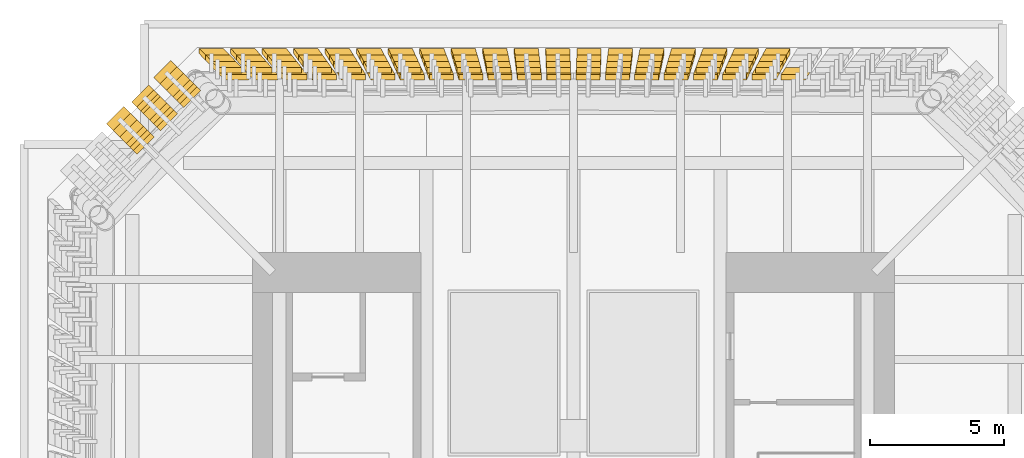
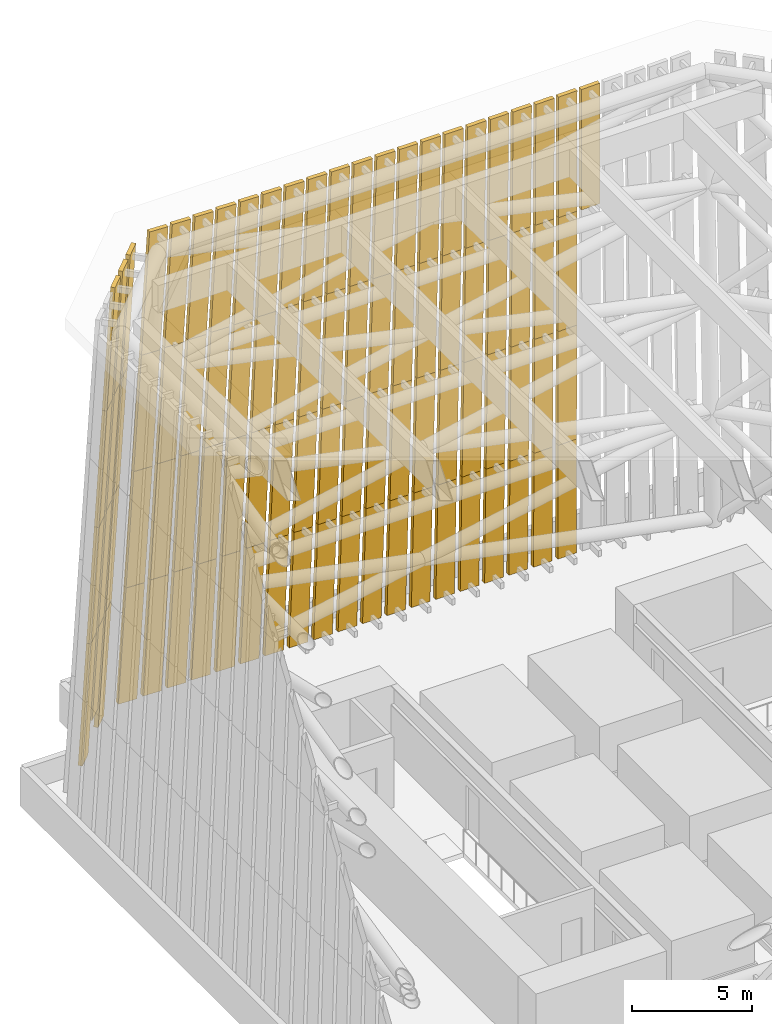
# One storey, part 11 of 13: 89 shading devices.
"""IFC4 building model written with IfcOpenShell, lengths in metres."""

from ifc_helpers import new_model, si_unit, direction, frame, origin, origin_2d, place, context, subcontext, project, spatial, rectangle, extrude, source, transform, mapped, material, material_profile, profile_set, type_object, element, save


model = new_model("IFC4")

# Units and contexts
model_context = context("Model", 3, precision=1e-05, world=origin(), true_north=direction((0.0, 1.0)))
body_context = subcontext(model_context, "Body", "Model", "MODEL_VIEW")
ifc_project = project(units=[si_unit("LENGTHUNIT", "METRE"), si_unit("AREAUNIT", "SQUARE_METRE"), si_unit("VOLUMEUNIT", "CUBIC_METRE"), si_unit("PLANEANGLEUNIT", "RADIAN"), si_unit("MASSUNIT", "GRAM", prefix="KILO")], contexts=[model_context])

# Site, building, storey
site_placement = place(None, origin())
site = spatial("IfcSite", under=ifc_project, at=site_placement, CompositionType="ELEMENT")
building_placement = place(site_placement, origin())
building = spatial("IfcBuilding", under=site, at=building_placement, Name="Peilmerk Tower", CompositionType="ELEMENT")
storey_placement = place(building_placement, frame((0.0, 0.0, 307.800048828125)))
storey = spatial("IfcBuildingStorey", under=building, at=storey_placement, Name="RF", CompositionType="ELEMENT", Elevation=307.800048828125)

# Shading devices
ifc_material = material(Name="GRP composite, board-marked concrete finish", Category="concrete")
ifc_material_profile = material_profile(ifc_material, rectangle(XDim=0.199951171875, YDim=0.89990234375, at=origin_2d()), Name="CF1 200x900")
ifc_profile_set = profile_set([ifc_material_profile], Name="GRP composite, board-marked concrete finish")
shading_device_type = type_object("IfcShadingDeviceType", Name="CF1 200x900 GRP crown fin", PredefinedType="USERDEFINED", material=ifc_profile_set)
shared_shape_1 = source(origin(), body_context, "Body", "SweptSolid", [
    extrude(rectangle(XDim=0.199951171875, YDim=0.89990234375, at=origin_2d()), origin(), (0.0, 0.0, 1.0), 6.009765625),
])
for number, where, z_axis, x_axis, name in (
    (1, (-16.81494140625, 16.81494140625, 6.0), (0.040258485407, -0.040258485407, 0.998377938811), (-0.705959810721, 0.705959810721, 0.056934096063), "Crown fin CF1 NW_W 3 tier 2"),
    (2, (-16.572998046875, 16.572998046875, 12.0), (0.040258485407, -0.040258485407, 0.998377938811), (-0.705959810721, 0.705959810721, 0.056934096063), "Crown fin CF1 NW_W 3 tier 3"),
    (3, (-15.94482421875, 17.684814453125, 6.0), (0.040258485407, -0.040258485407, 0.998377938811), (-0.705959810721, 0.705959810721, 0.056934096063), "Crown fin CF1 NW_W 4 tier 2"),
    (4, (-15.702880859375, 17.44287109375, 12.0), (0.040258485407, -0.040258485407, 0.998377938811), (-0.705959810721, 0.705959810721, 0.056934096063), "Crown fin CF1 NW_W 4 tier 3"),
    (5, (-15.31689453125, 18.796875, 0.0), (0.040258485407, -0.040258485407, 0.998377938811), (-0.705959810721, 0.705959810721, 0.056934096063), "Crown fin CF1 NW_W 5 tier 1"),
    (6, (-15.074951171875, 18.554931640625, 6.0), (0.040258485407, -0.040258485407, 0.998377938811), (-0.705959810721, 0.705959810721, 0.056934096063), "Crown fin CF1 NW_W 5 tier 2"),
    (7, (-14.8330078125, 18.31298828125, 12.0), (0.040258485407, -0.040258485407, 0.998377938811), (-0.705959810721, 0.705959810721, 0.056934096063), "Crown fin CF1 NW_W 5 tier 3"),
):
    element("IfcShadingDevice", number, at=place(storey_placement, frame(where, z_axis=z_axis, x_axis=x_axis)), inside=storey, type_object=shading_device_type, Name=name, ObjectType="CROWN FIN", PredefinedType="USERDEFINED", context=body_context, shape_type="MappedRepresentation", body=[
        mapped(shared_shape_1, transform((0.0, 0.0, 0.0), scale=1.0)),
    ])
shared_shape_2 = source(origin(), body_context, "Body", "SweptSolid", [
    extrude(rectangle(XDim=0.199951171875, YDim=0.89990234375, at=origin_2d()), origin(), (0.0, 0.0, 1.0), 6.36572265625),
])
for number, where, z_axis, x_axis, name in (
    (8, (-16.3310546875, 16.3310546875, 18.0), (0.040269510679, -0.040269510679, 0.998377049526), (-0.705959181901, 0.705959181901, 0.056949688153), "Crown fin CF1 NW_W 3 tier 4"),
    (9, (-15.4609375, 17.200927734375, 18.0), (0.040231282973, -0.040231282973, 0.998380131884), (-0.705961361457, 0.705961361457, 0.056895626012), "Crown fin CF1 NW_W 4 tier 4"),
    (10, (-14.591064453125, 18.071044921875, 18.0), (0.040269510679, -0.040269510679, 0.998377049526), (-0.705959181901, 0.705959181901, 0.056949688153), "Crown fin CF1 NW_W 5 tier 4"),
):
    element("IfcShadingDevice", number, at=place(storey_placement, frame(where, z_axis=z_axis, x_axis=x_axis)), inside=storey, type_object=shading_device_type, Name=name, ObjectType="CROWN FIN", PredefinedType="USERDEFINED", context=body_context, shape_type="MappedRepresentation", body=[
        mapped(shared_shape_2, transform((0.0, 0.0, 0.0), scale=1.0)),
    ])
shared_shape_3 = source(origin(), body_context, "Body", "SweptSolid", [
    extrude(rectangle(XDim=0.199951171875, YDim=0.89990234375, at=origin_2d()), origin(), (0.0, 0.0, 1.0), 4.807861328125),
])
shading_device_1_placement = place(storey_placement, frame((-16.138427734375, 17.87841796875, 1.199951171875), z_axis=(0.040268200199, -0.040268200199, 0.99837715524), x_axis=(-0.705959256652, 0.705959256652, 0.056947834853)))
element("IfcShadingDevice", 11, at=shading_device_1_placement, inside=storey, type_object=shading_device_type, Name="Crown fin CF1 NW_W 4 tier 1", ObjectType="CROWN FIN", PredefinedType="USERDEFINED", context=body_context, shape_type="MappedRepresentation", body=[
    mapped(shared_shape_3, transform((0.0, 0.0, 0.0), scale=1.0)),
])
shared_shape_4 = source(origin(), body_context, "Body", "SweptSolid", [
    extrude(rectangle(XDim=0.199951171875, YDim=0.89990234375, at=origin_2d()), origin(), (0.0, 0.0, 1.0), 6.310302734375),
])
shading_device_2_placement = place(storey_placement, frame((-17.06884765625, 17.06884765625, -0.300048828125), z_axis=(0.040236964191, -0.040236964191, 0.998379673985), x_axis=(-0.705961037673, 0.705961037673, 0.056903660467)))
element("IfcShadingDevice", 12, at=shading_device_2_placement, inside=storey, type_object=shading_device_type, Name="Crown fin CF1 NW_W 3 tier 1", ObjectType="CROWN FIN", PredefinedType="USERDEFINED", context=body_context, shape_type="MappedRepresentation", body=[
    mapped(shared_shape_4, transform((0.0, 0.0, 0.0), scale=1.0)),
])
shared_shape_5 = source(origin(), body_context, "Body", "SweptSolid", [
    extrude(rectangle(XDim=0.199951171875, YDim=0.89990234375, at=origin_2d()), origin(), (0.0, 0.0, 1.0), 6.00927734375),
])
for number, where, z_axis, x_axis, name in (
    (13, (-13.54638671875, 19.541015625, 0.0), (0.038554865392, -0.040261192417, 0.998445070467), (0.001553524468, 0.999189189486, 0.040231208987), "Crown fin CF1 NW_N 1 tier 1"),
    (14, (-13.314697265625, 19.299072265625, 6.0), (0.03859543174, -0.04026112932, 0.99844350572), (0.001555156602, 0.999189192028, 0.040231082785), "Crown fin CF1 NW_N 1 tier 2"),
    (15, (-13.082763671875, 19.05712890625, 12.0), (0.03859543174, -0.04026112932, 0.99844350572), (0.001555156602, 0.999189192028, 0.040231082785), "Crown fin CF1 NW_N 1 tier 3"),
):
    element("IfcShadingDevice", number, at=place(storey_placement, frame(where, z_axis=z_axis, x_axis=x_axis)), inside=storey, type_object=shading_device_type, Name=name, ObjectType="CROWN FIN", PredefinedType="USERDEFINED", context=body_context, shape_type="MappedRepresentation", body=[
        mapped(shared_shape_5, transform((0.0, 0.0, 0.0), scale=1.0)),
    ])
shared_shape_6 = source(origin(), body_context, "Body", "SweptSolid", [
    extrude(rectangle(XDim=0.199951171875, YDim=0.89990234375, at=origin_2d()), origin(), (0.0, 0.0, 1.0), 6.365478515625),
])
shading_device_3_placement = place(storey_placement, frame((-12.850830078125, 18.815185546875, 18.0), z_axis=(0.038546296104, -0.040272249661, 0.9984449554), x_axis=(0.001553606433, 0.999188743885, 0.040242271305)))
element("IfcShadingDevice", 16, at=shading_device_3_placement, inside=storey, type_object=shading_device_type, Name="Crown fin CF1 NW_N 1 tier 4", ObjectType="CROWN FIN", PredefinedType="USERDEFINED", context=body_context, shape_type="MappedRepresentation", body=[
    mapped(shared_shape_6, transform((0.0, 0.0, 0.0), scale=1.0)),
])
shared_shape_7 = source(origin(), body_context, "Body", "SweptSolid", [
    extrude(rectangle(XDim=0.199951171875, YDim=0.89990234375, at=origin_2d()), origin(), (0.0, 0.0, 1.0), 6.008544921875),
])
for number, where, z_axis, x_axis, name in (
    (17, (-12.36865234375, 19.541015625, 0.0), (0.035268375827, -0.040266083462, 0.998566364439), (0.001421272027, 0.999188992395, 0.040240992324), "Crown fin CF1 NW_N 2 tier 1"),
    (18, (-12.15673828125, 19.299072265625, 6.0), (0.035227794511, -0.040266141131, 0.99856779458), (0.001419638687, 0.999188990071, 0.040241107683), "Crown fin CF1 NW_N 2 tier 2"),
    (19, (-11.945068359375, 19.05712890625, 12.0), (0.035227794511, -0.040266141131, 0.99856779458), (0.001419638687, 0.999188990071, 0.040241107683), "Crown fin CF1 NW_N 2 tier 3"),
):
    element("IfcShadingDevice", number, at=place(storey_placement, frame(where, z_axis=z_axis, x_axis=x_axis)), inside=storey, type_object=shading_device_type, Name=name, ObjectType="CROWN FIN", PredefinedType="USERDEFINED", context=body_context, shape_type="MappedRepresentation", body=[
        mapped(shared_shape_7, transform((0.0, 0.0, 0.0), scale=1.0)),
    ])
shared_shape_8 = source(origin(), body_context, "Body", "SweptSolid", [
    extrude(rectangle(XDim=0.199951171875, YDim=0.89990234375, at=origin_2d()), origin(), (0.0, 0.0, 1.0), 6.364501953125),
])
shading_device_4_placement = place(storey_placement, frame((-11.7333984375, 18.815185546875, 18.0), z_axis=(0.035213786084, -0.040277206305, 0.998567842423), x_axis=(0.00141946476, 0.999188544096, 0.040252185873)))
element("IfcShadingDevice", 20, at=shading_device_4_placement, inside=storey, type_object=shading_device_type, Name="Crown fin CF1 NW_N 2 tier 4", ObjectType="CROWN FIN", PredefinedType="USERDEFINED", context=body_context, shape_type="MappedRepresentation", body=[
    mapped(shared_shape_8, transform((0.0, 0.0, 0.0), scale=1.0)),
])
shared_shape_9 = source(origin(), body_context, "Body", "SweptSolid", [
    extrude(rectangle(XDim=0.199951171875, YDim=0.89990234375, at=origin_2d()), origin(), (0.0, 0.0, 1.0), 6.0078125),
])
for number, where, z_axis, x_axis, name in (
    (21, (-11.190673828125, 19.541015625, 0.0), (0.031899551915, -0.04027064452, 0.998679474996), (0.001285658431, 0.999188808579, 0.040250116676), "Crown fin CF1 NW_N 3 tier 1"),
    (22, (-10.9990234375, 19.299072265625, 6.0), (0.031858956815, -0.040270696689, 0.998680768744), (0.001284023979, 0.999188806477, 0.040250221046), "Crown fin CF1 NW_N 3 tier 2"),
    (23, (-10.8076171875, 19.05712890625, 12.0), (0.031899551915, -0.04027064452, 0.998679474996), (0.001285658431, 0.999188808579, 0.040250116676), "Crown fin CF1 NW_N 3 tier 3"),
):
    element("IfcShadingDevice", number, at=place(storey_placement, frame(where, z_axis=z_axis, x_axis=x_axis)), inside=storey, type_object=shading_device_type, Name=name, ObjectType="CROWN FIN", PredefinedType="USERDEFINED", context=body_context, shape_type="MappedRepresentation", body=[
        mapped(shared_shape_9, transform((0.0, 0.0, 0.0), scale=1.0)),
    ])
shared_shape_10 = source(origin(), body_context, "Body", "SweptSolid", [
    extrude(rectangle(XDim=0.199951171875, YDim=0.89990234375, at=origin_2d()), origin(), (0.0, 0.0, 1.0), 6.36376953125),
])
shading_device_5_placement = place(storey_placement, frame((-10.615966796875, 18.815185546875, 18.0), z_axis=(0.031880100984, -0.040281716045, 0.998679649594), x_axis=(0.001285228315, 0.999188362298, 0.040261207578)))
element("IfcShadingDevice", 24, at=shading_device_5_placement, inside=storey, type_object=shading_device_type, Name="Crown fin CF1 NW_N 3 tier 4", ObjectType="CROWN FIN", PredefinedType="USERDEFINED", context=body_context, shape_type="MappedRepresentation", body=[
    mapped(shared_shape_10, transform((0.0, 0.0, 0.0), scale=1.0)),
])
shared_shape_11 = source(origin(), body_context, "Body", "SweptSolid", [
    extrude(rectangle(XDim=0.199951171875, YDim=0.89990234375, at=origin_2d()), origin(), (0.0, 0.0, 1.0), 6.00732421875),
])
for number, where, z_axis, x_axis, name in (
    (25, (-10.0126953125, 19.541015625, 0.0), (0.028529640468, -0.040274748865, 0.998781259445), (0.001149957131, 0.999188643152, 0.040258328266), "Crown fin CF1 NW_N 4 tier 1"),
    (26, (-9.84130859375, 19.299072265625, 6.0), (0.028529640468, -0.040274748865, 0.998781259445), (0.001149957131, 0.999188643152, 0.040258328266), "Crown fin CF1 NW_N 4 tier 2"),
    (27, (-9.669921875, 19.05712890625, 12.0), (0.028529640468, -0.040274748865, 0.998781259445), (0.001149957131, 0.999188643152, 0.040258328266), "Crown fin CF1 NW_N 4 tier 3"),
):
    element("IfcShadingDevice", number, at=place(storey_placement, frame(where, z_axis=z_axis, x_axis=x_axis)), inside=storey, type_object=shading_device_type, Name=name, ObjectType="CROWN FIN", PredefinedType="USERDEFINED", context=body_context, shape_type="MappedRepresentation", body=[
        mapped(shared_shape_11, transform((0.0, 0.0, 0.0), scale=1.0)),
    ])
shared_shape_12 = source(origin(), body_context, "Body", "SweptSolid", [
    extrude(rectangle(XDim=0.199951171875, YDim=0.89990234375, at=origin_2d()), origin(), (0.0, 0.0, 1.0), 6.36328125),
])
shading_device_6_placement = place(storey_placement, frame((-9.49853515625, 18.815185546875, 18.0), z_axis=(0.028545351571, -0.040285778427, 0.998780365726), x_axis=(0.001150906016, 0.999188198517, 0.040269335217)))
element("IfcShadingDevice", 28, at=shading_device_6_placement, inside=storey, type_object=shading_device_type, Name="Crown fin CF1 NW_N 4 tier 4", ObjectType="CROWN FIN", PredefinedType="USERDEFINED", context=body_context, shape_type="MappedRepresentation", body=[
    mapped(shared_shape_12, transform((0.0, 0.0, 0.0), scale=1.0)),
])
shared_shape_13 = source(origin(), body_context, "Body", "SweptSolid", [
    extrude(rectangle(XDim=0.199951171875, YDim=0.89990234375, at=origin_2d()), origin(), (0.0, 0.0, 1.0), 6.0068359375),
])
for number, where, z_axis, x_axis, name in (
    (29, (-8.834716796875, 19.541015625, 0.0), (0.025199374381, -0.040278354858, 0.998870685154), (0.001015813679, 0.999188497797, 0.040265543491), "Crown fin CF1 NW_N 5 tier 1"),
    (30, (-8.683349609375, 19.299072265625, 6.0), (0.025158755976, -0.040278396078, 0.998871707381), (0.001014177347, 0.999188496135, 0.040265625972), "Crown fin CF1 NW_N 5 tier 2"),
    (31, (-8.5322265625, 19.05712890625, 12.0), (0.025158755976, -0.040278396078, 0.998871707381), (0.001014177347, 0.999188496135, 0.040265625972), "Crown fin CF1 NW_N 5 tier 3"),
):
    element("IfcShadingDevice", number, at=place(storey_placement, frame(where, z_axis=z_axis, x_axis=x_axis)), inside=storey, type_object=shading_device_type, Name=name, ObjectType="CROWN FIN", PredefinedType="USERDEFINED", context=body_context, shape_type="MappedRepresentation", body=[
        mapped(shared_shape_13, transform((0.0, 0.0, 0.0), scale=1.0)),
    ])
shared_shape_14 = source(origin(), body_context, "Body", "SweptSolid", [
    extrude(rectangle(XDim=0.199951171875, YDim=0.89990234375, at=origin_2d()), origin(), (0.0, 0.0, 1.0), 6.362548828125),
])
for number, where, z_axis, x_axis, name in (
    (32, (-8.381103515625, 18.815185546875, 18.0), (0.025171302271, -0.040289431989, 0.998870946225), (0.001014961568, 0.999188051205, 0.040276645628), "Crown fin CF1 NW_N 5 tier 4"),
    (33, (8.381103515625, 18.815185546875, 18.0), (-0.025171302271, -0.040289431989, 0.998870946225), (-0.001014961568, 0.999188051205, 0.040276645628), "Crown fin CF1 NW_N 20 tier 4"),
):
    element("IfcShadingDevice", number, at=place(storey_placement, frame(where, z_axis=z_axis, x_axis=x_axis)), inside=storey, type_object=shading_device_type, Name=name, ObjectType="CROWN FIN", PredefinedType="USERDEFINED", context=body_context, shape_type="MappedRepresentation", body=[
        mapped(shared_shape_14, transform((0.0, 0.0, 0.0), scale=1.0)),
    ])
shared_shape_15 = source(origin(), body_context, "Body", "SweptSolid", [
    extrude(rectangle(XDim=0.199951171875, YDim=0.89990234375, at=origin_2d()), origin(), (0.0, 0.0, 1.0), 6.00634765625),
])
for number, where, z_axis, x_axis, name in (
    (34, (-7.65673828125, 19.541015625, 0.0), (0.021827641163, -0.04028155008, 0.998949924072), (0.000879965428, 0.999188368989, 0.040271937347), "Crown fin CF1 NW_N 6 tier 1"),
    (35, (-7.525634765625, 19.299072265625, 6.0), (0.021827641163, -0.04028155008, 0.998949924072), (0.000879965428, 0.999188368989, 0.040271937347), "Crown fin CF1 NW_N 6 tier 2"),
    (36, (-7.39453125, 19.05712890625, 12.0), (0.021787013099, -0.040281585786, 0.998950809553), (0.000878328317, 0.99918836755, 0.0402720088), "Crown fin CF1 NW_N 6 tier 3"),
    (37, (7.65673828125, 19.541015625, 0.0), (-0.021827641163, -0.04028155008, 0.998949924072), (-0.000879965428, 0.999188368989, 0.040271937347), "Crown fin CF1 NW_N 19 tier 1"),
    (38, (7.525634765625, 19.299072265625, 6.0), (-0.021827641163, -0.04028155008, 0.998949924072), (-0.000879965428, 0.999188368989, 0.040271937347), "Crown fin CF1 NW_N 19 tier 2"),
    (39, (7.39453125, 19.05712890625, 12.0), (-0.021787013099, -0.040281585786, 0.998950809553), (-0.000878328317, 0.99918836755, 0.0402720088), "Crown fin CF1 NW_N 19 tier 3"),
):
    element("IfcShadingDevice", number, at=place(storey_placement, frame(where, z_axis=z_axis, x_axis=x_axis)), inside=storey, type_object=shading_device_type, Name=name, ObjectType="CROWN FIN", PredefinedType="USERDEFINED", context=body_context, shape_type="MappedRepresentation", body=[
        mapped(shared_shape_15, transform((0.0, 0.0, 0.0), scale=1.0)),
    ])
shared_shape_16 = source(origin(), body_context, "Body", "SweptSolid", [
    extrude(rectangle(XDim=0.199951171875, YDim=0.89990234375, at=origin_2d()), origin(), (0.0, 0.0, 1.0), 6.362060546875),
])
for number, where, z_axis, x_axis, name in (
    (40, (-7.263671875, 18.815185546875, 18.0), (0.021834748195, -0.04029259333, 0.998949323386), (0.000880493657, 0.999187923727, 0.04028297169), "Crown fin CF1 NW_N 6 tier 4"),
    (41, (7.263671875, 18.815185546875, 18.0), (-0.021834748195, -0.04029259333, 0.998949323386), (-0.000880493657, 0.999187923727, 0.04028297169), "Crown fin CF1 NW_N 19 tier 4"),
):
    element("IfcShadingDevice", number, at=place(storey_placement, frame(where, z_axis=z_axis, x_axis=x_axis)), inside=storey, type_object=shading_device_type, Name=name, ObjectType="CROWN FIN", PredefinedType="USERDEFINED", context=body_context, shape_type="MappedRepresentation", body=[
        mapped(shared_shape_16, transform((0.0, 0.0, 0.0), scale=1.0)),
    ])
shared_shape_17 = source(origin(), body_context, "Body", "SweptSolid", [
    extrude(rectangle(XDim=0.199951171875, YDim=0.89990234375, at=origin_2d()), origin(), (0.0, 0.0, 1.0), 6.005859375),
])
for number, where, z_axis, x_axis, name in (
    (42, (-6.478759765625, 19.541015625, 0.0), (0.01845516298, -0.040284287473, 0.999017809222), (0.000744057073, 0.999188258629, 0.040277415462), "Crown fin CF1 NW_N 7 tier 1"),
    (43, (-6.367919921875, 19.299072265625, 6.0), (0.01845516298, -0.040284287473, 0.999017809222), (0.000744057073, 0.999188258629, 0.040277415462), "Crown fin CF1 NW_N 7 tier 2"),
    (44, (-6.257080078125, 19.05712890625, 12.0), (0.018495799227, -0.040284257218, 0.999017058929), (0.000745694844, 0.999188259849, 0.040277354914), "Crown fin CF1 NW_N 7 tier 3"),
    (45, (6.478759765625, 19.541015625, 0.0), (-0.01845516298, -0.040284287473, 0.999017809222), (-0.000744057073, 0.999188258629, 0.040277415462), "Crown fin CF1 NW_N 18 tier 1"),
    (46, (6.367919921875, 19.299072265625, 6.0), (-0.01845516298, -0.040284287473, 0.999017809222), (-0.000744057073, 0.999188258629, 0.040277415462), "Crown fin CF1 NW_N 18 tier 2"),
    (47, (6.257080078125, 19.05712890625, 12.0), (-0.018495799227, -0.040284257218, 0.999017058929), (-0.000745694844, 0.999188259849, 0.040277354914), "Crown fin CF1 NW_N 18 tier 3"),
):
    element("IfcShadingDevice", number, at=place(storey_placement, frame(where, z_axis=z_axis, x_axis=x_axis)), inside=storey, type_object=shading_device_type, Name=name, ObjectType="CROWN FIN", PredefinedType="USERDEFINED", context=body_context, shape_type="MappedRepresentation", body=[
        mapped(shared_shape_17, transform((0.0, 0.0, 0.0), scale=1.0)),
    ])
shared_shape_18 = source(origin(), body_context, "Body", "SweptSolid", [
    extrude(rectangle(XDim=0.199951171875, YDim=0.89990234375, at=origin_2d()), origin(), (0.0, 0.0, 1.0), 6.36181640625),
])
for number, where, z_axis, x_axis, name in (
    (48, (-6.14599609375, 18.815185546875, 18.0), (0.018459100989, -0.040295334799, 0.999017290934), (0.000744420263, 0.999187813173, 0.040288457963), "Crown fin CF1 NW_N 7 tier 4"),
    (49, (6.14599609375, 18.815185546875, 18.0), (-0.018459100989, -0.040295334799, 0.999017290934), (-0.000744420263, 0.999187813173, 0.040288457963), "Crown fin CF1 NW_N 18 tier 4"),
):
    element("IfcShadingDevice", number, at=place(storey_placement, frame(where, z_axis=z_axis, x_axis=x_axis)), inside=storey, type_object=shading_device_type, Name=name, ObjectType="CROWN FIN", PredefinedType="USERDEFINED", context=body_context, shape_type="MappedRepresentation", body=[
        mapped(shared_shape_18, transform((0.0, 0.0, 0.0), scale=1.0)),
    ])
shared_shape_19 = source(origin(), body_context, "Body", "SweptSolid", [
    extrude(rectangle(XDim=0.199951171875, YDim=0.89990234375, at=origin_2d()), origin(), (0.0, 0.0, 1.0), 6.005615234375),
])
for number, where, z_axis, x_axis, name in (
    (50, (-5.30078125, 19.541015625, 0.0), (0.015122697914, -0.040286542024, 0.999073720273), (0.000609736209, 0.99918816773, 0.040281927586), "Crown fin CF1 NW_N 8 tier 1"),
    (51, (-5.2099609375, 19.299072265625, 6.0), (0.01508205476, -0.040286566758, 0.999074333652), (0.00060809788, 0.999188166733, 0.040281977088), "Crown fin CF1 NW_N 8 tier 2"),
    (52, (-5.119384765625, 19.05712890625, 12.0), (0.015122697914, -0.040286542024, 0.999073720273), (0.000609736209, 0.99918816773, 0.040281927586), "Crown fin CF1 NW_N 8 tier 3"),
    (53, (5.30078125, 19.541015625, 0.0), (-0.015122697914, -0.040286542024, 0.999073720273), (-0.000609736209, 0.99918816773, 0.040281927586), "Crown fin CF1 NW_N 17 tier 1"),
    (54, (5.2099609375, 19.299072265625, 6.0), (-0.01508205476, -0.040286566758, 0.999074333652), (-0.00060809788, 0.999188166733, 0.040281977088), "Crown fin CF1 NW_N 17 tier 2"),
    (55, (5.119384765625, 19.05712890625, 12.0), (-0.015122697914, -0.040286542024, 0.999073720273), (-0.000609736209, 0.99918816773, 0.040281927586), "Crown fin CF1 NW_N 17 tier 3"),
):
    element("IfcShadingDevice", number, at=place(storey_placement, frame(where, z_axis=z_axis, x_axis=x_axis)), inside=storey, type_object=shading_device_type, Name=name, ObjectType="CROWN FIN", PredefinedType="USERDEFINED", context=body_context, shape_type="MappedRepresentation", body=[
        mapped(shared_shape_19, transform((0.0, 0.0, 0.0), scale=1.0)),
    ])
shared_shape_20 = source(origin(), body_context, "Body", "SweptSolid", [
    extrude(rectangle(XDim=0.199951171875, YDim=0.89990234375, at=origin_2d()), origin(), (0.0, 0.0, 1.0), 6.361328125),
])
for number, where, z_axis, x_axis, name in (
    (56, (-5.028564453125, 18.815185546875, 18.0), (0.015082822427, -0.040297617172, 0.999073876406), (0.00060829591, 0.999187721127, 0.040293025772), "Crown fin CF1 NW_N 8 tier 4"),
    (57, (5.028564453125, 18.815185546875, 18.0), (-0.015082822427, -0.040297617172, 0.999073876406), (-0.00060829591, 0.999187721127, 0.040293025772), "Crown fin CF1 NW_N 17 tier 4"),
):
    element("IfcShadingDevice", number, at=place(storey_placement, frame(where, z_axis=z_axis, x_axis=x_axis)), inside=storey, type_object=shading_device_type, Name=name, ObjectType="CROWN FIN", PredefinedType="USERDEFINED", context=body_context, shape_type="MappedRepresentation", body=[
        mapped(shared_shape_20, transform((0.0, 0.0, 0.0), scale=1.0)),
    ])
shared_shape_21 = source(origin(), body_context, "Body", "SweptSolid", [
    extrude(rectangle(XDim=0.199951171875, YDim=0.89990234375, at=origin_2d()), origin(), (0.0, 0.0, 1.0), 6.00537109375),
])
for number, where, z_axis, x_axis, name in (
    (58, (-4.122802734375, 19.541015625, 0.0), (0.011749080216, -0.040288368491, 0.999119015172), (0.000473735902, 0.999188094087, 0.040285583153), "Crown fin CF1 NW_N 9 tier 1"),
    (59, (-4.05224609375, 19.299072265625, 6.0), (0.011749080216, -0.040288368491, 0.999119015172), (0.000473735902, 0.999188094087, 0.040285583153), "Crown fin CF1 NW_N 9 tier 2"),
    (60, (-3.981689453125, 19.05712890625, 12.0), (0.011749080216, -0.040288368491, 0.999119015172), (0.000473735902, 0.999188094087, 0.040285583153), "Crown fin CF1 NW_N 9 tier 3"),
    (61, (4.122802734375, 19.541015625, 0.0), (-0.011749080216, -0.040288368491, 0.999119015172), (-0.000473735902, 0.999188094087, 0.040285583153), "Crown fin CF1 NW_N 16 tier 1"),
    (62, (4.05224609375, 19.299072265625, 6.0), (-0.011749080216, -0.040288368491, 0.999119015172), (-0.000473735902, 0.999188094087, 0.040285583153), "Crown fin CF1 NW_N 16 tier 2"),
    (63, (3.981689453125, 19.05712890625, 12.0), (-0.011749080216, -0.040288368491, 0.999119015172), (-0.000473735902, 0.999188094087, 0.040285583153), "Crown fin CF1 NW_N 16 tier 3"),
):
    element("IfcShadingDevice", number, at=place(storey_placement, frame(where, z_axis=z_axis, x_axis=x_axis)), inside=storey, type_object=shading_device_type, Name=name, ObjectType="CROWN FIN", PredefinedType="USERDEFINED", context=body_context, shape_type="MappedRepresentation", body=[
        mapped(shared_shape_21, transform((0.0, 0.0, 0.0), scale=1.0)),
    ])
shared_shape_22 = source(origin(), body_context, "Body", "SweptSolid", [
    extrude(rectangle(XDim=0.199951171875, YDim=0.89990234375, at=origin_2d()), origin(), (0.0, 0.0, 1.0), 6.361083984375),
])
for number, where, z_axis, x_axis, name in (
    (64, (-3.9111328125, 18.815185546875, 18.0), (0.011744403006, -0.04029942208, 0.999118624378), (0.000473677446, 0.999187648332, 0.040296638193), "Crown fin CF1 NW_N 9 tier 4"),
    (65, (3.9111328125, 18.815185546875, 18.0), (-0.011744403006, -0.04029942208, 0.999118624378), (-0.000473677446, 0.999187648332, 0.040296638193), "Crown fin CF1 NW_N 16 tier 4"),
):
    element("IfcShadingDevice", number, at=place(storey_placement, frame(where, z_axis=z_axis, x_axis=x_axis)), inside=storey, type_object=shading_device_type, Name=name, ObjectType="CROWN FIN", PredefinedType="USERDEFINED", context=body_context, shape_type="MappedRepresentation", body=[
        mapped(shared_shape_22, transform((0.0, 0.0, 0.0), scale=1.0)),
    ])
shared_shape_23 = source(origin(), body_context, "Body", "SweptSolid", [
    extrude(rectangle(XDim=0.199951171875, YDim=0.89990234375, at=origin_2d()), origin(), (0.0, 0.0, 1.0), 6.005126953125),
])
for number, where, z_axis, x_axis, name in (
    (66, (-2.94482421875, 19.541015625, 0.0), (0.008375061256, -0.040289736431, 0.999152938987), (0.000337703212, 0.999188038929, 0.040288321115), "Crown fin CF1 NW_N 10 tier 1"),
    (67, (-2.89453125, 19.299072265625, 6.0), (0.008415714021, -0.04028972268, 0.999152597957), (0.000339342317, 0.999188039483, 0.04028829359), "Crown fin CF1 NW_N 10 tier 2"),
    (68, (-2.843994140625, 19.05712890625, 12.0), (0.008375061256, -0.040289736431, 0.999152938987), (0.000337703212, 0.999188038929, 0.040288321115), "Crown fin CF1 NW_N 10 tier 3"),
    (69, (2.94482421875, 19.541015625, 0.0), (-0.008375061256, -0.040289736431, 0.999152938987), (-0.000337703212, 0.999188038929, 0.040288321115), "Crown fin CF1 NW_N 15 tier 1"),
    (70, (2.89453125, 19.299072265625, 6.0), (-0.008415714021, -0.04028972268, 0.999152597957), (-0.000339342317, 0.999188039483, 0.04028829359), "Crown fin CF1 NW_N 15 tier 2"),
    (71, (2.843994140625, 19.05712890625, 12.0), (-0.008375061256, -0.040289736431, 0.999152938987), (-0.000337703212, 0.999188038929, 0.040288321115), "Crown fin CF1 NW_N 15 tier 3"),
):
    element("IfcShadingDevice", number, at=place(storey_placement, frame(where, z_axis=z_axis, x_axis=x_axis)), inside=storey, type_object=shading_device_type, Name=name, ObjectType="CROWN FIN", PredefinedType="USERDEFINED", context=body_context, shape_type="MappedRepresentation", body=[
        mapped(shared_shape_23, transform((0.0, 0.0, 0.0), scale=1.0)),
    ])
shared_shape_24 = source(origin(), body_context, "Body", "SweptSolid", [
    extrude(rectangle(XDim=0.199951171875, YDim=0.89990234375, at=origin_2d()), origin(), (0.0, 0.0, 1.0), 6.36083984375),
])
for number, where, z_axis, x_axis, name in (
    (72, (-2.793701171875, 18.815185546875, 18.0), (0.00840559081, -0.040300777858, 0.999152237323), (0.000339027276, 0.99918759365, 0.040299351812), "Crown fin CF1 NW_N 10 tier 4"),
    (73, (2.793701171875, 18.815185546875, 18.0), (-0.00840559081, -0.040300777858, 0.999152237323), (-0.000339027276, 0.99918759365, 0.040299351812), "Crown fin CF1 NW_N 15 tier 4"),
):
    element("IfcShadingDevice", number, at=place(storey_placement, frame(where, z_axis=z_axis, x_axis=x_axis)), inside=storey, type_object=shading_device_type, Name=name, ObjectType="CROWN FIN", PredefinedType="USERDEFINED", context=body_context, shape_type="MappedRepresentation", body=[
        mapped(shared_shape_24, transform((0.0, 0.0, 0.0), scale=1.0)),
    ])
shared_shape_25 = source(origin(), body_context, "Body", "SweptSolid", [
    extrude(rectangle(XDim=0.199951171875, YDim=0.89990234375, at=origin_2d()), origin(), (0.0, 0.0, 1.0), 6.0048828125),
])
for number, where, z_axis, x_axis, name in (
    (74, (-1.766845703125, 19.541015625, 0.0), (0.005041411753, -0.04029063748, 0.999175284271), (0.000203286762, 0.999188002596, 0.040290124634), "Crown fin CF1 NW_N 11 tier 1"),
    (75, (-1.736572265625, 19.299072265625, 6.0), (0.005000756228, -0.040290645705, 0.999175488243), (0.000201647435, 0.999188002264, 0.040290141097), "Crown fin CF1 NW_N 11 tier 2"),
    (76, (-1.70654296875, 19.05712890625, 12.0), (0.005041411753, -0.04029063748, 0.999175284271), (0.000203286762, 0.999188002596, 0.040290124634), "Crown fin CF1 NW_N 11 tier 3"),
    (77, (-0.5888671875, 19.541015625, 0.0), (0.00166693727, -0.040291093522, 0.999186593737), (6.7217307e-05, 0.999187984207, 0.040291037453), "Crown fin CF1 NW_N 12 tier 1"),
    (78, (-0.578857421875, 19.299072265625, 6.0), (0.00166693727, -0.040291093522, 0.999186593737), (6.7217307e-05, 0.999187984207, 0.040291037453), "Crown fin CF1 NW_N 12 tier 2"),
    (79, (-0.56884765625, 19.05712890625, 12.0), (0.00166693727, -0.040291093522, 0.999186593737), (6.7217307e-05, 0.999187984207, 0.040291037453), "Crown fin CF1 NW_N 12 tier 3"),
    (80, (0.5888671875, 19.541015625, 0.0), (-0.00166693727, -0.040291093522, 0.999186593737), (-6.7217307e-05, 0.999187984207, 0.040291037453), "Crown fin CF1 NW_N 13 tier 1"),
    (81, (0.578857421875, 19.299072265625, 6.0), (-0.00166693727, -0.040291093522, 0.999186593737), (-6.7217307e-05, 0.999187984207, 0.040291037453), "Crown fin CF1 NW_N 13 tier 2"),
    (82, (0.56884765625, 19.05712890625, 12.0), (-0.00166693727, -0.040291093522, 0.999186593737), (-6.7217307e-05, 0.999187984207, 0.040291037453), "Crown fin CF1 NW_N 13 tier 3"),
    (83, (1.766845703125, 19.541015625, 0.0), (-0.005041411753, -0.04029063748, 0.999175284271), (-0.000203286762, 0.999188002596, 0.040290124634), "Crown fin CF1 NW_N 14 tier 1"),
    (84, (1.736572265625, 19.299072265625, 6.0), (-0.005000756228, -0.040290645705, 0.999175488243), (-0.000201647435, 0.999188002264, 0.040290141097), "Crown fin CF1 NW_N 14 tier 2"),
    (85, (1.70654296875, 19.05712890625, 12.0), (-0.005041411753, -0.04029063748, 0.999175284271), (-0.000203286762, 0.999188002596, 0.040290124634), "Crown fin CF1 NW_N 14 tier 3"),
):
    element("IfcShadingDevice", number, at=place(storey_placement, frame(where, z_axis=z_axis, x_axis=x_axis)), inside=storey, type_object=shading_device_type, Name=name, ObjectType="CROWN FIN", PredefinedType="USERDEFINED", context=body_context, shape_type="MappedRepresentation", body=[
        mapped(shared_shape_25, transform((0.0, 0.0, 0.0), scale=1.0)),
    ])
shared_shape_26 = source(origin(), body_context, "Body", "SweptSolid", [
    extrude(rectangle(XDim=0.199951171875, YDim=0.89990234375, at=origin_2d()), origin(), (0.0, 0.0, 1.0), 6.360595703125),
])
for number, where, z_axis, x_axis, name in (
    (86, (-1.67626953125, 18.815185546875, 18.0), (0.005028115881, -0.040301692175, 0.999174905439), (0.000202806347, 0.999187556772, 0.040301181891), "Crown fin CF1 NW_N 11 tier 4"),
    (87, (-0.558837890625, 18.815185546875, 18.0), (0.001688851755, -0.040302144162, 0.99918611127), (6.8119692e-05, 0.999187538541, 0.040302086593), "Crown fin CF1 NW_N 12 tier 4"),
    (88, (0.558837890625, 18.815185546875, 18.0), (-0.001688851755, -0.040302144162, 0.99918611127), (-6.8119692e-05, 0.999187538541, 0.040302086593), "Crown fin CF1 NW_N 13 tier 4"),
    (89, (1.67626953125, 18.815185546875, 18.0), (-0.005028115881, -0.040301692175, 0.999174905439), (-0.000202806347, 0.999187556772, 0.040301181891), "Crown fin CF1 NW_N 14 tier 4"),
):
    element("IfcShadingDevice", number, at=place(storey_placement, frame(where, z_axis=z_axis, x_axis=x_axis)), inside=storey, type_object=shading_device_type, Name=name, ObjectType="CROWN FIN", PredefinedType="USERDEFINED", context=body_context, shape_type="MappedRepresentation", body=[
        mapped(shared_shape_26, transform((0.0, 0.0, 0.0), scale=1.0)),
    ])

save(model, "model.ifc")
